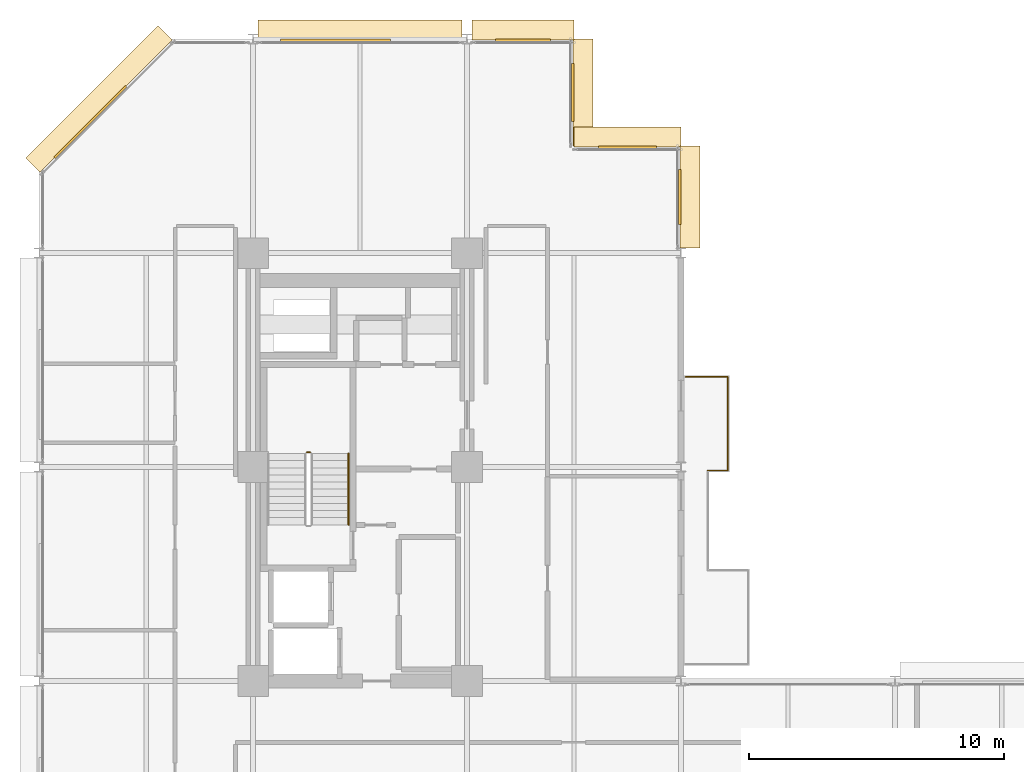
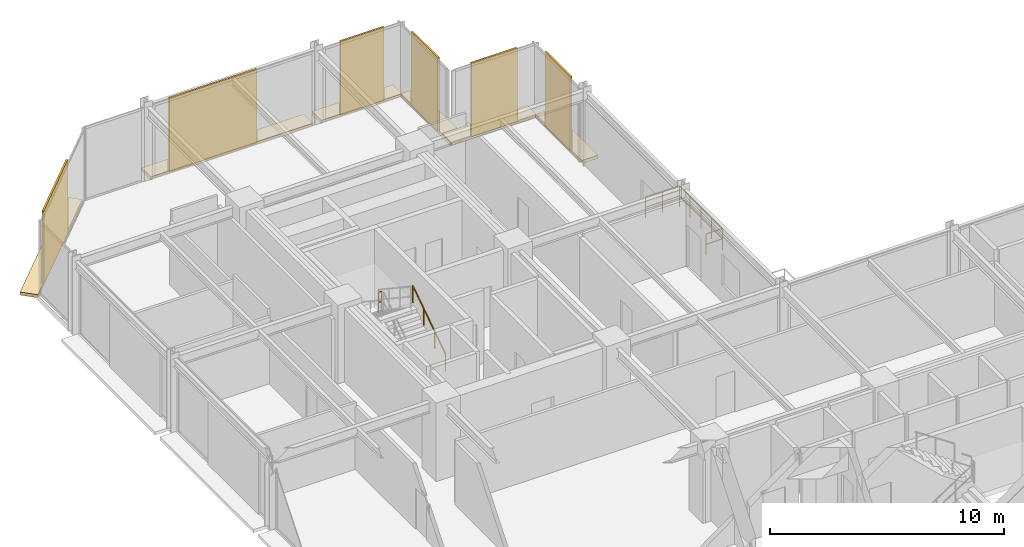
# One storey, part 30 of 30: 12 coverings, 5 railings.
"""IFC4 building model written with IfcOpenShell, lengths in metres."""

from ifc_helpers import new_model, si_unit, direction, frame, origin, origin_2d, place, context, subcontext, project, spatial, polyline, rectangle, circle, outline, extrude, material, layer, layer_set, type_object, element, save


model = new_model("IFC4")

# Units and contexts
model_context = context("Model", 3, precision=1e-05, world=origin(), true_north=direction((0.0, 1.0)))
body_context = subcontext(model_context, "Body", "Model", "MODEL_VIEW")
ifc_project = project(units=[si_unit("LENGTHUNIT", "METRE"), si_unit("AREAUNIT", "SQUARE_METRE"), si_unit("VOLUMEUNIT", "CUBIC_METRE"), si_unit("PLANEANGLEUNIT", "RADIAN"), si_unit("MASSUNIT", "GRAM", prefix="KILO")], contexts=[model_context])

# Site, building, storey
site_placement = place(None, origin())
site = spatial("IfcSite", under=ifc_project, at=site_placement, CompositionType="ELEMENT")
building_placement = place(site_placement, origin())
building = spatial("IfcBuilding", under=site, at=building_placement, Name="Nerrivon Quay Data Exchange", CompositionType="ELEMENT")
storey_placement = place(building_placement, frame((0.0, 0.0, 129.5)))
storey = spatial("IfcBuildingStorey", under=building, at=storey_placement, Name="L30", CompositionType="ELEMENT", Elevation=129.5)

# Coverings
ifc_material_1 = material(Name="Architectural terracotta ceramic", Category="masonry")
ifc_layer_1 = layer(ifc_material_1, 0.159912109375)
ifc_layer_set_1 = layer_set([ifc_layer_1], Name="Architectural terracotta ceramic")
covering_type_1 = type_object("IfcCoveringType", Name="COV-BLD-TERR", PredefinedType="CLADDING", material=ifc_layer_set_1)
covering_1_placement = place(storey_placement, frame((0.0, 0.0, -0.159912109375)))
element("IfcCovering", 1, at=covering_1_placement, inside=storey, type_object=covering_type_1, Name="L30 Horizontal Terracotta SOLAR SCREEN Blade", PredefinedType="CLADDING", context=body_context, shape_type="SweptSolid", body=[
    extrude(outline(polyline([(0.0283203125, 45.171630859375), (5.228271484375, 50.37158203125), (4.669677734375, 50.930419921875), (-0.5302734375, 45.730224609375), (0.0283203125, 45.171630859375)])), origin(), (0.0, 0.0, 1.0), 0.159912109375),
])
covering_2_placement = place(storey_placement, frame((0.0, 0.0, -0.159912109375)))
element("IfcCovering", 2, at=covering_2_placement, inside=storey, type_object=covering_type_1, Name="L30 Horizontal Terracotta SOLAR SCREEN Blade", PredefinedType="CLADDING", context=body_context, shape_type="SweptSolid", body=[
    extrude(outline(polyline([(8.60009765625, 50.360107421875), (16.60009765625, 50.360107421875), (16.60009765625, 51.14990234375), (8.60009765625, 51.14990234375), (8.60009765625, 50.360107421875)])), origin(), (0.0, 0.0, 1.0), 0.159912109375),
])
covering_3_placement = place(storey_placement, frame((0.0, 0.0, -0.159912109375)))
element("IfcCovering", 3, at=covering_3_placement, inside=storey, type_object=covering_type_1, Name="L30 Horizontal Terracotta SOLAR SCREEN Blade", PredefinedType="CLADDING", context=body_context, shape_type="SweptSolid", body=[
    extrude(outline(polyline([(17.0, 50.360107421875), (21.0, 50.360107421875), (21.0, 51.14990234375), (17.0, 51.14990234375), (17.0, 50.360107421875)])), origin(), (0.0, 0.0, 1.0), 0.159912109375),
])
covering_4_placement = place(storey_placement, frame((0.0, 0.0, -0.159912109375)))
element("IfcCovering", 4, at=covering_4_placement, inside=storey, type_object=covering_type_1, Name="L30 Horizontal Terracotta SOLAR SCREEN Blade", PredefinedType="CLADDING", context=body_context, shape_type="SweptSolid", body=[
    extrude(outline(polyline([(20.9599609375, 50.39990234375), (20.9599609375, 46.199951171875), (21.75, 46.199951171875), (21.75, 50.39990234375), (20.9599609375, 50.39990234375)])), origin(), (0.0, 0.0, 1.0), 0.159912109375),
])
covering_5_placement = place(storey_placement, frame((0.0, 0.0, -0.159912109375)))
element("IfcCovering", 5, at=covering_5_placement, inside=storey, type_object=covering_type_1, Name="L30 Horizontal Terracotta SOLAR SCREEN Blade", PredefinedType="CLADDING", context=body_context, shape_type="SweptSolid", body=[
    extrude(outline(polyline([(21.0, 46.159912109375), (25.199951171875, 46.159912109375), (25.199951171875, 46.949951171875), (21.0, 46.949951171875), (21.0, 46.159912109375)])), origin(), (0.0, 0.0, 1.0), 0.159912109375),
])
covering_6_placement = place(storey_placement, frame((0.0, 0.0, -0.159912109375)))
element("IfcCovering", 6, at=covering_6_placement, inside=storey, type_object=covering_type_1, Name="L30 Horizontal Terracotta SOLAR SCREEN Blade", PredefinedType="CLADDING", context=body_context, shape_type="SweptSolid", body=[
    extrude(outline(polyline([(25.159912109375, 46.199951171875), (25.159912109375, 42.199951171875), (25.949951171875, 42.199951171875), (25.949951171875, 46.199951171875), (25.159912109375, 46.199951171875)])), origin(), (0.0, 0.0, 1.0), 0.159912109375),
])
ifc_layer_2 = layer(ifc_material_1, 0.090087890625)
ifc_layer_set_2 = layer_set([ifc_layer_2], Name="Architectural terracotta ceramic")
covering_type_2 = type_object("IfcCoveringType", Name="COV-SCR-TERR", PredefinedType="CLADDING", material=ifc_layer_set_2)
covering_7_placement = place(storey_placement, frame((2.0078125, 47.144287109375, 0.0), z_axis=(0.0, 0.0, 1.0), x_axis=(0.707106781187, 0.707106781187, 0.0)))
element("IfcCovering", 7, at=covering_7_placement, inside=storey, type_object=covering_type_2, Name="L30 Perforated Terracotta SOLAR SCREEN Cassette", PredefinedType="CLADDING", context=body_context, shape_type="SweptSolid", body=[
    extrude(rectangle(XDim=3.970947265625, YDim=0.090087890625, at=origin_2d()), origin(), (0.0, 0.0, 1.0), 3.824951171875),
])
covering_8_placement = place(storey_placement, frame((11.639892578125, 50.35498046875, 0.0), z_axis=(0.0, 0.0, 1.0), x_axis=(1.0, 0.0, 0.0)))
element("IfcCovering", 8, at=covering_8_placement, inside=storey, type_object=covering_type_2, Name="L30 Perforated Terracotta SOLAR SCREEN Cassette", PredefinedType="CLADDING", context=body_context, shape_type="SweptSolid", body=[
    extrude(rectangle(XDim=4.320068359375, YDim=0.090087890625, at=origin_2d()), origin(), (0.0, 0.0, 1.0), 3.824951171875),
])
covering_9_placement = place(storey_placement, frame((19.0, 50.35498046875, 0.0), z_axis=(0.0, 0.0, 1.0), x_axis=(1.0, 0.0, 0.0)))
element("IfcCovering", 9, at=covering_9_placement, inside=storey, type_object=covering_type_2, Name="L30 Perforated Terracotta SOLAR SCREEN Cassette", PredefinedType="CLADDING", context=body_context, shape_type="SweptSolid", body=[
    extrude(rectangle(XDim=2.159912109375, YDim=0.090087890625, at=origin_2d()), origin(), (0.0, 0.0, 1.0), 3.824951171875),
])
for number, where, z_axis, x_axis, name in (
    (10, (20.955078125, 48.300048828125, 0.0), (0.0, 0.0, 1.0), (0.0, -1.0, 0.0), "L30 Perforated Terracotta SOLAR SCREEN Cassette"),
    (11, (23.10009765625, 46.155029296875, 0.0), (0.0, 0.0, 1.0), (1.0, 0.0, 0.0), "L30 Perforated Terracotta SOLAR SCREEN Cassette"),
):
    element("IfcCovering", number, at=place(storey_placement, frame(where, z_axis=z_axis, x_axis=x_axis)), inside=storey, type_object=covering_type_2, Name=name, PredefinedType="CLADDING", context=body_context, shape_type="SweptSolid", body=[
        extrude(rectangle(XDim=2.26806640625, YDim=0.090087890625, at=origin_2d()), origin(), (0.0, 0.0, 1.0), 3.824951171875),
    ])
covering_10_placement = place(storey_placement, frame((25.155029296875, 44.199951171875, 0.0), z_axis=(0.0, 0.0, 1.0), x_axis=(0.0, -1.0, 0.0)))
element("IfcCovering", 12, at=covering_10_placement, inside=storey, type_object=covering_type_2, Name="L30 Perforated Terracotta SOLAR SCREEN Cassette", PredefinedType="CLADDING", context=body_context, shape_type="SweptSolid", body=[
    extrude(rectangle(XDim=2.159912109375, YDim=0.090087890625, at=origin_2d()), origin(), (0.0, 0.0, 1.0), 3.824951171875),
])

# Railings
ifc_material_2 = material(Name="Steel Grade C350L0 (350 MPa)", Category="steel")
railing_type_1 = type_object("IfcRailingType", Name="RAIL-GUARD-GR2", PredefinedType="BALUSTRADE", material=ifc_material_2)
railing_1_placement = place(storey_placement, frame((25.3798828125, 37.139892578125, 0.0)))
element("IfcRailing", 13, at=railing_1_placement, inside=storey, type_object=railing_type_1, Name="L30 Verandah Balcony Guard 1.4 1", PredefinedType="BALUSTRADE", context=body_context, shape_type="SweptSolid", body=[
    extrude(circle(Radius=0.02392578125, at=origin_2d()), frame((0.0, 0.0, 1.09619140625), z_axis=(1.0, 0.0, 0.0), x_axis=(0.0, 1.0, 0.0)), (0.0, 0.0, 1.0), 1.66015625),
    extrude(circle(Radius=0.02392578125, at=origin_2d()), frame((0.0, 0.0, 0.56005859375), z_axis=(1.0, 0.0, 0.0), x_axis=(0.0, 1.0, 0.0)), (0.0, 0.0, 1.0), 1.66015625),
    extrude(circle(Radius=0.02099609375, at=origin_2d()), origin(), (0.0, 0.0, 1.0), 1.072021484375),
    extrude(circle(Radius=0.02099609375, at=origin_2d()), frame((0.830078125, 0.0, 0.0)), (0.0, 0.0, 1.0), 1.072021484375),
    extrude(circle(Radius=0.02099609375, at=origin_2d()), frame((1.66015625, 0.0, 0.0)), (0.0, 0.0, 1.0), 1.072021484375),
])
railing_2_placement = place(storey_placement, frame((27.0400390625, 37.139892578125, 0.0)))
element("IfcRailing", 14, at=railing_2_placement, inside=storey, type_object=railing_type_1, Name="L30 Verandah Balcony Guard 1.5 1", PredefinedType="BALUSTRADE", context=body_context, shape_type="SweptSolid", body=[
    extrude(circle(Radius=0.02392578125, at=origin_2d()), frame((0.0, 0.0, 1.09619140625), z_axis=(0.0, -1.0, 0.0), x_axis=(1.0, 0.0, 0.0)), (0.0, 0.0, 1.0), 3.679931640625),
    extrude(circle(Radius=0.02392578125, at=origin_2d()), frame((0.0, 0.0, 0.56005859375), z_axis=(0.0, -1.0, 0.0), x_axis=(1.0, 0.0, 0.0)), (0.0, 0.0, 1.0), 3.679931640625),
    extrude(circle(Radius=0.02099609375, at=origin_2d()), origin(), (0.0, 0.0, 1.0), 1.072021484375),
    extrude(circle(Radius=0.02099609375, at=origin_2d()), frame((0.0, -0.919921875, 0.0)), (0.0, 0.0, 1.0), 1.072021484375),
    extrude(circle(Radius=0.02099609375, at=origin_2d()), frame((0.0, -1.83984375, 0.0)), (0.0, 0.0, 1.0), 1.072021484375),
    extrude(circle(Radius=0.02099609375, at=origin_2d()), frame((0.0, -2.760009765625, 0.0)), (0.0, 0.0, 1.0), 1.072021484375),
    extrude(circle(Radius=0.02099609375, at=origin_2d()), frame((0.0, -3.679931640625, 0.0)), (0.0, 0.0, 1.0), 1.072021484375),
])
railing_3_placement = place(storey_placement, frame((27.0400390625, 33.4599609375, 0.0)))
element("IfcRailing", 15, at=railing_3_placement, inside=storey, type_object=railing_type_1, Name="L30 Verandah Balcony Guard 1.6 1", PredefinedType="BALUSTRADE", context=body_context, shape_type="SweptSolid", body=[
    extrude(circle(Radius=0.02392578125, at=origin_2d()), frame((0.0, 0.0, 1.09619140625), z_axis=(-1.0, 0.0, 0.0), x_axis=(0.0, -1.0, 0.0)), (0.0, 0.0, 1.0), 0.800048828125),
    extrude(circle(Radius=0.02392578125, at=origin_2d()), frame((0.0, 0.0, 0.56005859375), z_axis=(-1.0, 0.0, 0.0), x_axis=(0.0, -1.0, 0.0)), (0.0, 0.0, 1.0), 0.800048828125),
    extrude(circle(Radius=0.02099609375, at=origin_2d()), origin(), (0.0, 0.0, 1.0), 1.072021484375),
    extrude(circle(Radius=0.02099609375, at=origin_2d()), frame((-0.800048828125, 0.0, 0.0)), (0.0, 0.0, 1.0), 1.072021484375),
])
railing_type_2 = type_object("IfcRailingType", Name="RAIL-HAND-HR1", PredefinedType="HANDRAIL", material=ifc_material_2)
railing_4_placement = place(storey_placement, frame((12.14990234375, 31.330078125, 0.186279296875)))
element("IfcRailing", 16, at=railing_4_placement, inside=storey, type_object=railing_type_2, Name="L30 ST01 stair handrail 1", PredefinedType="HANDRAIL", context=body_context, shape_type="SweptSolid", body=[
    extrude(circle(Radius=0.02392578125, at=origin_2d()), frame((0.0, 0.0, 0.8759765625), z_axis=(0.0, 0.832429786209, 0.554130536094), x_axis=(-1.0, 0.0, 0.0)), (0.0, 0.0, 1.0), 3.363525390625),
    extrude(circle(Radius=0.02099609375, at=origin_2d()), origin(), (0.0, 0.0, 1.0), 0.851806640625),
    extrude(circle(Radius=0.02099609375, at=origin_2d()), frame((0.0, 0.933349609375, 0.621337890625)), (0.0, 0.0, 1.0), 0.851806640625),
    extrude(circle(Radius=0.02099609375, at=origin_2d()), frame((0.0, 1.866455078125, 1.242431640625)), (0.0, 0.0, 1.0), 0.851806640625),
    extrude(circle(Radius=0.02099609375, at=origin_2d()), frame((0.0, 2.7998046875, 1.86376953125)), (0.0, 0.0, 1.0), 0.851806640625),
])
railing_type_3 = type_object("IfcRailingType", Name="RAIL-STAIR-GR1", PredefinedType="BALUSTRADE", material=ifc_material_2)
railing_5_placement = place(storey_placement, frame((10.64990234375, 34.179931640625, 2.050048828125)))
element("IfcRailing", 17, at=railing_5_placement, inside=storey, type_object=railing_type_3, Name="L30 ST01 stair guard 2", PredefinedType="BALUSTRADE", context=body_context, shape_type="SweptSolid", body=[
    extrude(circle(Radius=0.02392578125, at=origin_2d()), frame((0.0, 0.0, 1.076171875), z_axis=(-1.0, 0.0, 0.0), x_axis=(0.0, -1.0, 0.0)), (0.0, 0.0, 1.0), 0.14990234375),
    extrude(circle(Radius=0.02392578125, at=origin_2d()), frame((0.0, 0.0, 0.550048828125), z_axis=(-1.0, 0.0, 0.0), x_axis=(0.0, -1.0, 0.0)), (0.0, 0.0, 1.0), 0.14990234375),
    extrude(circle(Radius=0.02099609375, at=origin_2d()), origin(), (0.0, 0.0, 1.0), 1.052001953125),
    extrude(circle(Radius=0.02099609375, at=origin_2d()), frame((-0.14990234375, 0.0, 0.0)), (0.0, 0.0, 1.0), 1.052001953125),
])

save(model, "model.ifc")
